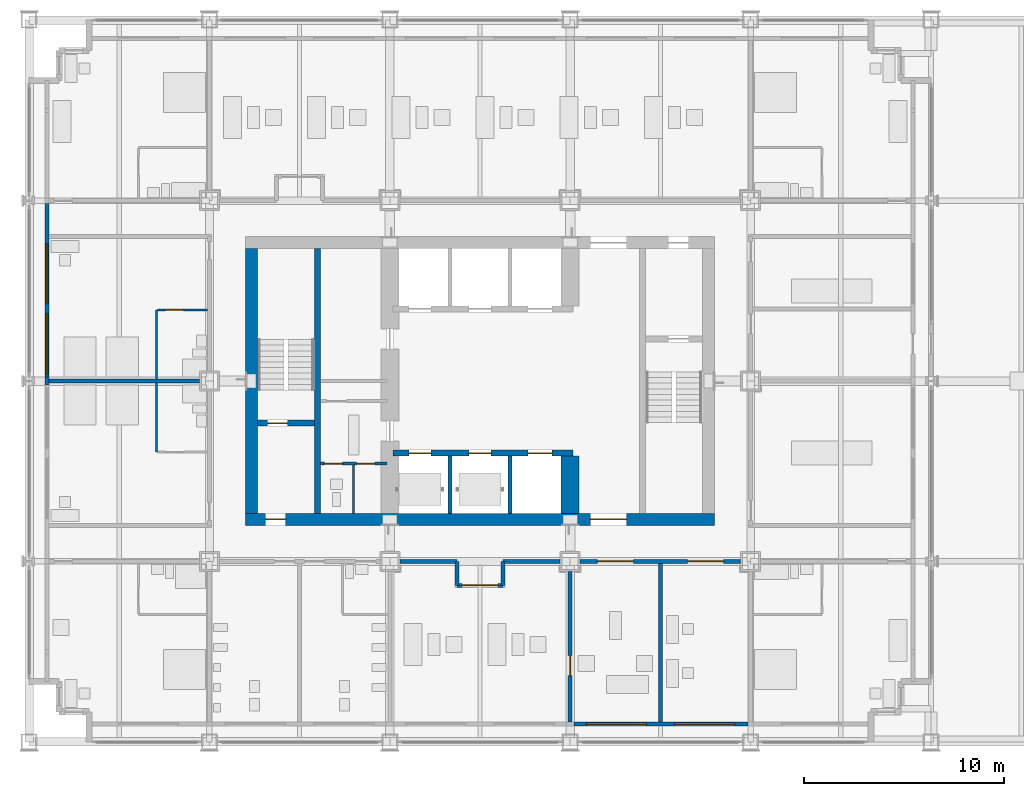
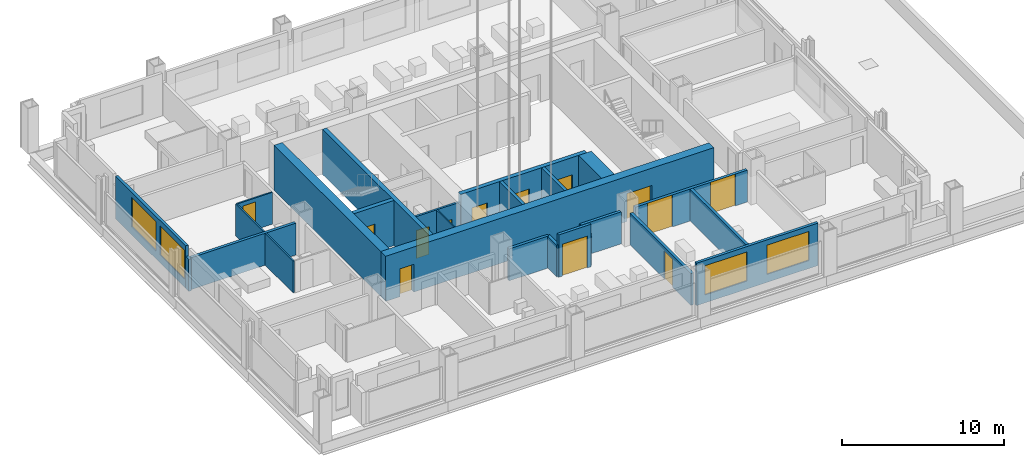
# One storey, part 11 of 19: 25 walls, 13 doors, 4 windows, 17 openings.
"""IFC4 building model written with IfcOpenShell, lengths in metres."""

from ifc_helpers import new_model, si_unit, direction, frame, frame_2d, origin, place, context, subcontext, project, spatial, rectangle, extrude, material, layer, layer_set, type_object, element, fill, save


model = new_model("IFC4")

# Units and contexts
model_context = context("Model", 3, precision=1e-05, world=origin(), true_north=direction((0.0, 1.0)))
body_context = subcontext(model_context, "Body", "Model", "MODEL_VIEW")
ifc_project = project(units=[si_unit("LENGTHUNIT", "METRE"), si_unit("AREAUNIT", "SQUARE_METRE"), si_unit("VOLUMEUNIT", "CUBIC_METRE"), si_unit("PLANEANGLEUNIT", "RADIAN"), si_unit("MASSUNIT", "GRAM", prefix="KILO")], contexts=[model_context])

# Site, building, storey
site_placement = place(None, origin())
site = spatial("IfcSite", under=ifc_project, at=site_placement, CompositionType="ELEMENT")
building_placement = place(site_placement, origin())
building = spatial("IfcBuilding", under=site, at=building_placement, Name="Loomwork Tower", CompositionType="ELEMENT")
storey_placement = place(building_placement, frame((0.0, 0.0, 94.199951171875)))
storey = spatial("IfcBuildingStorey", under=building, at=storey_placement, Name="L24", CompositionType="ELEMENT", Elevation=94.199951171875)

# Wall
ifc_material_1 = material(Name="Concrete 14000 psi (97 MPa)", Category="concrete")
ifc_layer_1 = layer(ifc_material_1, 0.300048828125)
ifc_layer_set_1 = layer_set([ifc_layer_1], Name="Core shear wall 300")
wall_type_1 = type_object("IfcWallType", Name="Core shear wall 300", PredefinedType="SHEAR", material=ifc_layer_set_1)
wall_1_placement = place(storey_placement, frame((14.39990234375, 11.39990234375, 0.0), z_axis=(0.0, 0.0, 1.0), x_axis=(0.0, 1.0, 0.0)))
element("IfcWall", 1, at=wall_1_placement, inside=storey, type_object=wall_type_1, Name="Stair A east wall L24", PredefinedType="SHEAR", context=body_context, shape_type="SweptSolid", body=[
    extrude(rectangle(XDim=13.2001953125, YDim=0.300048828125, at=frame_2d((6.60009765625, 0.0))), origin(), (0.0, 0.0, 1.0), 3.400146484375),
])

# Wall, opening, door
wall_2_placement = place(storey_placement, frame((11.39990234375, 15.89990234375, 0.0), z_axis=(0.0, 0.0, 1.0), x_axis=(1.0, 0.0, 0.0)))
wall_2 = element("IfcWall", 2, at=wall_2_placement, inside=storey, type_object=wall_type_1, Name="Stair A south wall L24", PredefinedType="SHEAR", context=body_context, shape_type="SweptSolid", body=[
    extrude(rectangle(XDim=2.85009765625, YDim=0.300048828125, at=frame_2d((1.425048828125, 0.0))), origin(), (0.0, 0.0, 1.0), 3.400146484375),
])
opening_1_placement = place(wall_2_placement, frame((0.5, 0.0, 0.0)))
opening_1 = element("IfcOpeningElement", 3, at=opening_1_placement, cuts=wall_2, Name="Opening D4", PredefinedType="OPENING", context=body_context, shape_type="SweptSolid", body=[
    extrude(rectangle(XDim=1.0, YDim=2.10009765625, at=frame_2d((0.5, 1.050048828125))), frame((0.0, 0.159912109375, 0.0), z_axis=(0.0, -1.0, 0.0), x_axis=(1.0, 0.0, 0.0)), (0.0, 0.0, 1.0), 0.320068359375),
])
ifc_material_2 = material(Name="Hollow metal door and frame")
door_type_1 = type_object("IfcDoorType", Name="Stair door 1000", OperationType="SINGLE_SWING_RIGHT", PredefinedType="DOOR", material=ifc_material_2)
door_1_placement = place(opening_1_placement, origin())
door_1 = element("IfcDoor", 4, at=door_1_placement, inside=storey, type_object=door_type_1, Name="Stair A door", OperationType="SINGLE_SWING_LEFT", OverallHeight=2.10009765625, OverallWidth=1.0, PredefinedType="DOOR", context=body_context, shape_type="SweptSolid", body=[
    extrude(rectangle(XDim=1.0, YDim=2.10009765625, at=frame_2d((0.5, 1.050048828125))), frame((0.0, 0.02490234375, 0.0), z_axis=(0.0, -1.0, 0.0), x_axis=(1.0, 0.0, 0.0)), (0.0, 0.0, 1.0), 0.050048828125),
])
fill(opening_1, door_1)

# Wall, openings, doors
wall_3_placement = place(storey_placement, frame((18.14990234375, 14.39990234375, 0.0), z_axis=(0.0, 0.0, 1.0), x_axis=(1.0, 0.0, 0.0)))
wall_3 = element("IfcWall", 5, at=wall_3_placement, inside=storey, type_object=wall_type_1, Name="Lift front wall south L24", PredefinedType="SHEAR", context=body_context, shape_type="SweptSolid", body=[
    extrude(rectangle(XDim=9.0, YDim=0.300048828125, at=frame_2d((4.5, 0.0))), origin(), (0.0, 0.0, 1.0), 3.400146484375),
])
opening_2_placement = place(wall_3_placement, frame((0.800048828125, 0.0, 0.0)))
opening_2 = element("IfcOpeningElement", 6, at=opening_2_placement, cuts=wall_3, Name="Opening LD1", PredefinedType="OPENING", context=body_context, shape_type="SweptSolid", body=[
    extrude(rectangle(XDim=1.10009765625, YDim=2.10009765625, at=frame_2d((0.550048828125, 1.050048828125))), frame((0.0, 0.159912109375, 0.0), z_axis=(0.0, -1.0, 0.0), x_axis=(1.0, 0.0, 0.0)), (0.0, 0.0, 1.0), 0.320068359375),
])
opening_3_placement = place(wall_3_placement, frame((3.800048828125, 0.0, 0.0)))
opening_3 = element("IfcOpeningElement", 7, at=opening_3_placement, cuts=wall_3, Name="Opening LD1", PredefinedType="OPENING", context=body_context, shape_type="SweptSolid", body=[
    extrude(rectangle(XDim=1.10009765625, YDim=2.10009765625, at=frame_2d((0.550048828125, 1.050048828125))), frame((0.0, 0.159912109375, 0.0), z_axis=(0.0, -1.0, 0.0), x_axis=(1.0, 0.0, 0.0)), (0.0, 0.0, 1.0), 0.320068359375),
])
opening_4_placement = place(wall_3_placement, frame((6.75, 0.0, 0.0)))
opening_4 = element("IfcOpeningElement", 8, at=opening_4_placement, cuts=wall_3, Name="Opening LD2", PredefinedType="OPENING", context=body_context, shape_type="SweptSolid", body=[
    extrude(rectangle(XDim=1.199951171875, YDim=2.10009765625, at=frame_2d((0.60009765625, 1.050048828125))), frame((0.0, 0.159912109375, 0.0), z_axis=(0.0, -1.0, 0.0), x_axis=(1.0, 0.0, 0.0)), (0.0, 0.0, 1.0), 0.320068359375),
])
ifc_material_3 = material(Name="Hollow metal door and frame")
door_type_2 = type_object("IfcDoorType", Name="Lift landing door 1100", OperationType="SLIDING_TO_LEFT", PredefinedType="DOOR", material=ifc_material_3)
door_2_placement = place(opening_2_placement, origin())
door_2 = element("IfcDoor", 9, at=door_2_placement, inside=storey, type_object=door_type_2, Name="Lift landing door LB1", OperationType="SLIDING_TO_LEFT", OverallHeight=2.10009765625, OverallWidth=1.10009765625, PredefinedType="DOOR", context=body_context, shape_type="SweptSolid", body=[
    extrude(rectangle(XDim=1.10009765625, YDim=2.10009765625, at=frame_2d((0.550048828125, 1.050048828125))), frame((0.0, 0.02490234375, 0.0), z_axis=(0.0, -1.0, 0.0), x_axis=(1.0, 0.0, 0.0)), (0.0, 0.0, 1.0), 0.050048828125),
])
fill(opening_2, door_2)
door_3_placement = place(opening_3_placement, origin())
door_3 = element("IfcDoor", 10, at=door_3_placement, inside=storey, type_object=door_type_2, Name="Lift landing door LB2", OperationType="SLIDING_TO_LEFT", OverallHeight=2.10009765625, OverallWidth=1.10009765625, PredefinedType="DOOR", context=body_context, shape_type="SweptSolid", body=[
    extrude(rectangle(XDim=1.10009765625, YDim=2.10009765625, at=frame_2d((0.550048828125, 1.050048828125))), frame((0.0, 0.02490234375, 0.0), z_axis=(0.0, -1.0, 0.0), x_axis=(1.0, 0.0, 0.0)), (0.0, 0.0, 1.0), 0.050048828125),
])
fill(opening_3, door_3)
ifc_material_4 = material(Name="Hollow metal door and frame")
door_type_3 = type_object("IfcDoorType", Name="Lift landing door 1200", OperationType="SLIDING_TO_LEFT", PredefinedType="DOOR", material=ifc_material_4)
door_4_placement = place(opening_4_placement, origin())
door_4 = element("IfcDoor", 11, at=door_4_placement, inside=storey, type_object=door_type_3, Name="Lift landing door LF1", OperationType="SLIDING_TO_LEFT", OverallHeight=2.10009765625, OverallWidth=1.199951171875, PredefinedType="DOOR", context=body_context, shape_type="SweptSolid", body=[
    extrude(rectangle(XDim=1.199951171875, YDim=2.10009765625, at=frame_2d((0.60009765625, 1.050048828125))), frame((0.0, 0.02490234375, 0.0), z_axis=(0.0, -1.0, 0.0), x_axis=(1.0, 0.0, 0.0)), (0.0, 0.0, 1.0), 0.050048828125),
])
fill(opening_4, door_4)

ifc_material_5 = material(Name="Concrete 14000 psi (97 MPa)", Category="concrete")
ifc_layer_2 = layer(ifc_material_5, 0.60009765625)
ifc_layer_set_2 = layer_set([ifc_layer_2], Name="Core shear wall 600")
wall_type_2 = type_object("IfcWallType", Name="Core shear wall 600", PredefinedType="SHEAR", material=ifc_layer_set_2)
wall_4_placement = place(storey_placement, frame((10.800048828125, 11.10009765625, 0.0), z_axis=(0.0, 0.0, 1.0), x_axis=(1.0, 0.0, 0.0)))
wall_4 = element("IfcWall", 12, at=wall_4_placement, inside=storey, type_object=wall_type_2, Name="Core wall south L24", PredefinedType="SHEAR", context=body_context, shape_type="SweptSolid", body=[
    extrude(rectangle(XDim=23.39990234375, YDim=0.60009765625, at=frame_2d((11.699951171875, 0.0))), origin(), (0.0, 0.0, 1.0), 3.400146484375),
])
opening_5_placement = place(wall_4_placement, frame((1.0, 0.0, 0.0)))
opening_5 = element("IfcOpeningElement", 13, at=opening_5_placement, cuts=wall_4, Name="Opening D4", PredefinedType="OPENING", context=body_context, shape_type="SweptSolid", body=[
    extrude(rectangle(XDim=1.0, YDim=2.10009765625, at=frame_2d((0.5, 1.050048828125))), frame((0.0, 0.31005859375, 0.0), z_axis=(0.0, -1.0, 0.0), x_axis=(1.0, 0.0, 0.0)), (0.0, 0.0, 1.0), 0.6201171875),
])
opening_6_placement = place(wall_4_placement, frame((17.199951171875, 0.0, 0.0)))
opening_6 = element("IfcOpeningElement", 14, at=opening_6_placement, cuts=wall_4, Name="Opening D6", PredefinedType="OPENING", context=body_context, shape_type="SweptSolid", body=[
    extrude(rectangle(XDim=1.800048828125, YDim=2.10009765625, at=frame_2d((0.89990234375, 1.050048828125))), frame((0.0, 0.31005859375, 0.0), z_axis=(0.0, -1.0, 0.0), x_axis=(1.0, 0.0, 0.0)), (0.0, 0.0, 1.0), 0.6201171875),
])
ifc_material_6 = material(Name="Hollow metal door and frame")
door_type_4 = type_object("IfcDoorType", Name="Lobby passage double door 1800", OperationType="DOUBLE_DOOR_SINGLE_SWING", PredefinedType="DOOR", material=ifc_material_6)
door_5_placement = place(opening_6_placement, origin())
door_5 = element("IfcDoor", 15, at=door_5_placement, inside=storey, type_object=door_type_4, Name="Lobby passage door south", OperationType="DOUBLE_DOOR_SINGLE_SWING", OverallHeight=2.10009765625, OverallWidth=1.800048828125, PredefinedType="DOOR", context=body_context, shape_type="SweptSolid", body=[
    extrude(rectangle(XDim=1.800048828125, YDim=2.10009765625, at=frame_2d((0.89990234375, 1.050048828125))), frame((0.0, 0.02490234375, 0.0), z_axis=(0.0, -1.0, 0.0), x_axis=(1.0, 0.0, 0.0)), (0.0, 0.0, 1.0), 0.050048828125),
])
fill(opening_6, door_5)
door_6_placement = place(opening_5_placement, origin())
door_6 = element("IfcDoor", 16, at=door_6_placement, inside=storey, type_object=door_type_1, Name="Stair A vestibule door", OperationType="SINGLE_SWING_LEFT", OverallHeight=2.10009765625, OverallWidth=1.0, PredefinedType="DOOR", context=body_context, shape_type="SweptSolid", body=[
    extrude(rectangle(XDim=1.0, YDim=2.10009765625, at=frame_2d((0.5, 1.050048828125))), frame((0.0, 0.02490234375, 0.0), z_axis=(0.0, -1.0, 0.0), x_axis=(1.0, 0.0, 0.0)), (0.0, 0.0, 1.0), 0.050048828125),
])
fill(opening_5, door_6)

# Walls
wall_5_placement = place(storey_placement, frame((11.10009765625, 11.39990234375, 0.0), z_axis=(0.0, 0.0, 1.0), x_axis=(0.0, 1.0, 0.0)))
element("IfcWall", 17, at=wall_5_placement, inside=storey, type_object=wall_type_2, Name="Core wall west L24", PredefinedType="SHEAR", context=body_context, shape_type="SweptSolid", body=[
    extrude(rectangle(XDim=13.2001953125, YDim=0.60009765625, at=frame_2d((6.60009765625, 0.0))), origin(), (0.0, 0.0, 1.0), 3.400146484375),
])
ifc_material_7 = material(Name="Concrete 14000 psi (97 MPa)", Category="concrete")
ifc_layer_3 = layer(ifc_material_7, 0.89990234375)
ifc_layer_set_3 = layer_set([ifc_layer_3], Name="Core shear wall 900")
wall_type_3 = type_object("IfcWallType", Name="Core shear wall 900", PredefinedType="SHEAR", material=ifc_layer_set_3)
wall_6_placement = place(storey_placement, frame((27.0, 11.39990234375, 0.0), z_axis=(0.0, 0.0, 1.0), x_axis=(0.0, 1.0, 0.0)))
element("IfcWall", 18, at=wall_6_placement, inside=storey, type_object=wall_type_3, Name="Lift shaft end wall south L24", PredefinedType="SHEAR", context=body_context, shape_type="SweptSolid", body=[
    extrude(rectangle(XDim=2.85009765625, YDim=0.89990234375, at=frame_2d((1.425048828125, 0.0))), origin(), (0.0, 0.0, 1.0), 3.400146484375),
])
ifc_material_8 = material(Name="Gypsum board on steel studs, one-hour", Category="steel")
ifc_layer_4 = layer(ifc_material_8, 0.199951171875)
ifc_layer_set_4 = layer_set([ifc_layer_4], Name="Corridor wall 200")
wall_type_4 = type_object("IfcWallType", Name="Corridor wall 200", PredefinedType="PARTITIONING", material=ifc_layer_set_4)
wall_7_placement = place(storey_placement, frame((18.5, 9.0, 0.0), z_axis=(0.0, 0.0, 1.0), x_axis=(1.0, 0.0, 0.0)))
element("IfcWall", 19, at=wall_7_placement, inside=storey, type_object=wall_type_4, Name="South corridor wall 3", PredefinedType="PARTITIONING", context=body_context, shape_type="SweptSolid", body=[
    extrude(rectangle(XDim=2.85009765625, YDim=0.199951171875, at=frame_2d((1.425048828125, 0.0))), origin(), (0.0, 0.0, 1.0), 2.405029296875),
])

# Wall, openings, doors
wall_8_placement = place(storey_placement, frame((27.5, 9.0, 0.0), z_axis=(0.0, 0.0, 1.0), x_axis=(1.0, 0.0, 0.0)))
wall_8 = element("IfcWall", 20, at=wall_8_placement, inside=storey, type_object=wall_type_4, Name="South corridor wall 4", PredefinedType="PARTITIONING", context=body_context, shape_type="SweptSolid", body=[
    extrude(rectangle(XDim=8.0, YDim=0.199951171875, at=frame_2d((4.0, 0.0))), origin(), (0.0, 0.0, 1.0), 2.405029296875),
])
opening_7_placement = place(wall_8_placement, frame((0.85009765625, 0.0, 0.0)))
opening_7 = element("IfcOpeningElement", 21, at=opening_7_placement, cuts=wall_8, Name="Opening D16", PredefinedType="OPENING", context=body_context, shape_type="SweptSolid", body=[
    extrude(rectangle(XDim=1.800048828125, YDim=2.39990234375, at=frame_2d((0.89990234375, 1.199951171875))), frame((0.0, 0.10986328125, 0.0), z_axis=(0.0, -1.0, 0.0), x_axis=(1.0, 0.0, 0.0)), (0.0, 0.0, 1.0), 0.219970703125),
])
opening_8_placement = place(wall_8_placement, frame((5.35009765625, 0.0, 0.0)))
opening_8 = element("IfcOpeningElement", 22, at=opening_8_placement, cuts=wall_8, Name="Opening D16", PredefinedType="OPENING", context=body_context, shape_type="SweptSolid", body=[
    extrude(rectangle(XDim=1.800048828125, YDim=2.39990234375, at=frame_2d((0.89990234375, 1.199951171875))), frame((0.0, 0.10986328125, 0.0), z_axis=(0.0, -1.0, 0.0), x_axis=(1.0, 0.0, 0.0)), (0.0, 0.0, 1.0), 0.219970703125),
])
ifc_material_9 = material(Name="Hollow metal door and frame")
door_type_5 = type_object("IfcDoorType", Name="Fire-rated double door 1800", OperationType="DOUBLE_DOOR_SINGLE_SWING", PredefinedType="DOOR", material=ifc_material_9)
door_7_placement = place(opening_7_placement, origin())
door_7 = element("IfcDoor", 23, at=door_7_placement, inside=storey, type_object=door_type_5, Name="Sky lobby door L24", OperationType="DOUBLE_DOOR_SINGLE_SWING", OverallHeight=2.39990234375, OverallWidth=1.800048828125, PredefinedType="DOOR", context=body_context, shape_type="SweptSolid", body=[
    extrude(rectangle(XDim=1.800048828125, YDim=2.39990234375, at=frame_2d((0.89990234375, 1.199951171875))), frame((0.0, 0.02490234375, 0.0), z_axis=(0.0, -1.0, 0.0), x_axis=(1.0, 0.0, 0.0)), (0.0, 0.0, 1.0), 0.050048828125),
])
fill(opening_7, door_7)
door_8_placement = place(opening_8_placement, frame((1.800048828125, 0.0, 0.0), z_axis=(0.0, 0.0, 1.0), x_axis=(-1.0, 0.0, 0.0)))
door_8 = element("IfcDoor", 24, at=door_8_placement, inside=storey, type_object=door_type_5, Name="Business centre door L24", OperationType="DOUBLE_DOOR_SINGLE_SWING", OverallHeight=2.39990234375, OverallWidth=1.800048828125, PredefinedType="DOOR", context=body_context, shape_type="SweptSolid", body=[
    extrude(rectangle(XDim=1.800048828125, YDim=2.39990234375, at=frame_2d((0.89990234375, 1.199951171875))), frame((0.0, 0.02490234375, 0.0), z_axis=(0.0, -1.0, 0.0), x_axis=(1.0, 0.0, 0.0)), (0.0, 0.0, 1.0), 0.050048828125),
])
fill(opening_8, door_8)

# Walls
wall_9_placement = place(storey_placement, frame((23.64990234375, 9.0, 0.0), z_axis=(0.0, 0.0, 1.0), x_axis=(1.0, 0.0, 0.0)))
element("IfcWall", 25, at=wall_9_placement, inside=storey, type_object=wall_type_4, Name="South corridor wall 3", PredefinedType="PARTITIONING", context=body_context, shape_type="SweptSolid", body=[
    extrude(rectangle(XDim=2.85009765625, YDim=0.199951171875, at=frame_2d((1.425048828125, 0.0))), origin(), (0.0, 0.0, 1.0), 2.405029296875),
])
for number, where, z_axis, x_axis, name in (
    (26, (21.35009765625, 9.0, 0.0), (0.0, 0.0, 1.0), (0.0, -1.0, 0.0), "Sky lounge door L24 alcove wall"),
    (27, (23.64990234375, 9.0, 0.0), (0.0, 0.0, 1.0), (0.0, -1.0, 0.0), "Sky lounge door L24 alcove wall"),
):
    element("IfcWall", number, at=place(storey_placement, frame(where, z_axis=z_axis, x_axis=x_axis)), inside=storey, type_object=wall_type_4, Name=name, PredefinedType="PARTITIONING", context=body_context, shape_type="SweptSolid", body=[
        extrude(rectangle(XDim=1.199951171875, YDim=0.199951171875, at=frame_2d((0.60009765625, 0.0))), origin(), (0.0, 0.0, 1.0), 2.404052734375),
    ])

# Wall, opening, door
wall_10_placement = place(storey_placement, frame((21.35009765625, 7.800048828125, 0.0), z_axis=(0.0, 0.0, 1.0), x_axis=(1.0, 0.0, 0.0)))
wall_10 = element("IfcWall", 28, at=wall_10_placement, inside=storey, type_object=wall_type_4, Name="Sky lounge door L24 alcove wall", PredefinedType="PARTITIONING", context=body_context, shape_type="SweptSolid", body=[
    extrude(rectangle(XDim=2.2998046875, YDim=0.199951171875, at=frame_2d((1.14990234375, 0.0))), origin(), (0.0, 0.0, 1.0), 3.199951171875),
])
opening_9_placement = place(wall_10_placement, frame((0.25, 0.0, 0.0)))
opening_9 = element("IfcOpeningElement", 29, at=opening_9_placement, cuts=wall_10, Name="Opening D16", PredefinedType="OPENING", context=body_context, shape_type="SweptSolid", body=[
    extrude(rectangle(XDim=1.800048828125, YDim=2.39990234375, at=frame_2d((0.89990234375, 1.199951171875))), frame((0.0, 0.10986328125, 0.0), z_axis=(0.0, -1.0, 0.0), x_axis=(1.0, 0.0, 0.0)), (0.0, 0.0, 1.0), 0.219970703125),
])
door_9_placement = place(opening_9_placement, frame((1.800048828125, 0.0, 0.0), z_axis=(0.0, 0.0, 1.0), x_axis=(-1.0, 0.0, 0.0)))
door_9 = element("IfcDoor", 30, at=door_9_placement, inside=storey, type_object=door_type_5, Name="Sky lounge door L24", OperationType="DOUBLE_DOOR_SINGLE_SWING", OverallHeight=2.39990234375, OverallWidth=1.800048828125, PredefinedType="DOOR", context=body_context, shape_type="SweptSolid", body=[
    extrude(rectangle(XDim=1.800048828125, YDim=2.39990234375, at=frame_2d((0.89990234375, 1.199951171875))), frame((0.0, 0.02490234375, 0.0), z_axis=(0.0, -1.0, 0.0), x_axis=(1.0, 0.0, 0.0)), (0.0, 0.0, 1.0), 0.050048828125),
])
fill(opening_9, door_9)

# Walls
ifc_material_10 = material(Name="Cement board on steel studs", Category="steel")
ifc_layer_5 = layer(ifc_material_10, 0.10009765625)
ifc_layer_set_5 = layer_set([ifc_layer_5], Name="En-suite partition 100")
wall_type_5 = type_object("IfcWallType", Name="En-suite partition 100", PredefinedType="PARTITIONING", material=ifc_layer_set_5)
for number, where, z_axis, x_axis, name in (
    (31, (6.35009765625, 14.449951171875, 0.0), (0.0, 0.0, 1.0), (0.0, 1.0, 0.0), "En-suite wall L24 room 11"),
    (32, (6.35009765625, 18.10009765625, 0.0), (0.0, 0.0, 1.0), (0.0, 1.0, 0.0), "En-suite wall L24 room 12"),
):
    element("IfcWall", number, at=place(storey_placement, frame(where, z_axis=z_axis, x_axis=x_axis)), inside=storey, type_object=wall_type_5, Name=name, PredefinedType="PARTITIONING", context=body_context, shape_type="SweptSolid", body=[
        extrude(rectangle(XDim=3.449951171875, YDim=0.10009765625, at=frame_2d((1.72509765625, 0.0))), origin(), (0.0, 0.0, 1.0), 2.404052734375),
    ])

# Wall, opening, door
wall_11_placement = place(storey_placement, frame((8.89990234375, 21.550048828125, 0.0), z_axis=(0.0, 0.0, 1.0), x_axis=(-1.0, 0.0, 0.0)))
wall_11 = element("IfcWall", 33, at=wall_11_placement, inside=storey, type_object=wall_type_5, Name="En-suite side wall L24 room 12", PredefinedType="PARTITIONING", context=body_context, shape_type="SweptSolid", body=[
    extrude(rectangle(XDim=2.5, YDim=0.10009765625, at=frame_2d((1.25, 0.0))), origin(), (0.0, 0.0, 1.0), 2.404052734375),
])
opening_10_placement = place(wall_11_placement, frame((1.199951171875, 0.0, 0.0)))
opening_10 = element("IfcOpeningElement", 34, at=opening_10_placement, cuts=wall_11, Name="Opening D2", PredefinedType="OPENING", context=body_context, shape_type="SweptSolid", body=[
    extrude(rectangle(XDim=0.89990234375, YDim=2.10009765625, at=frame_2d((0.449951171875, 1.050048828125))), frame((0.0, 0.06005859375, 0.0), z_axis=(0.0, -1.0, 0.0), x_axis=(1.0, 0.0, 0.0)), (0.0, 0.0, 1.0), 0.1201171875),
])
ifc_material_11 = material(Name="Hollow metal door and frame")
door_type_6 = type_object("IfcDoorType", Name="En-suite door 900", OperationType="SINGLE_SWING_LEFT", PredefinedType="DOOR", material=ifc_material_11)
door_10_placement = place(opening_10_placement, origin())
door_10 = element("IfcDoor", 35, at=door_10_placement, inside=storey, type_object=door_type_6, Name="En-suite door room 12", OperationType="SINGLE_SWING_RIGHT", OverallHeight=2.10009765625, OverallWidth=0.89990234375, PredefinedType="DOOR", context=body_context, shape_type="SweptSolid", body=[
    extrude(rectangle(XDim=0.89990234375, YDim=2.10009765625, at=frame_2d((0.449951171875, 1.050048828125))), frame((0.0, 0.02490234375, 0.0), z_axis=(0.0, -1.0, 0.0), x_axis=(1.0, 0.0, 0.0)), (0.0, 0.0, 1.0), 0.050048828125),
])
fill(opening_10, door_10)

# Wall
wall_12_placement = place(storey_placement, frame((16.199951171875, 11.39990234375, 0.0), z_axis=(0.0, 0.0, 1.0), x_axis=(0.0, 1.0, 0.0)))
element("IfcWall", 36, at=wall_12_placement, inside=storey, type_object=wall_type_5, Name="Back-of-house partition L24 2", PredefinedType="PARTITIONING", context=body_context, shape_type="SweptSolid", body=[
    extrude(rectangle(XDim=2.400146484375, YDim=0.10009765625, at=frame_2d((1.2001953125, 0.0))), origin(), (0.0, 0.0, 1.0), 3.199951171875),
])

# Wall, opening, door
ifc_material_12 = material(Name="Gypsum board on steel studs, acoustic", Category="steel")
ifc_layer_6 = layer(ifc_material_12, 0.199951171875)
ifc_layer_set_6 = layer_set([ifc_layer_6], Name="Guest room party wall 200")
wall_type_6 = type_object("IfcWallType", Name="Guest room party wall 200", PredefinedType="PARTITIONING", material=ifc_layer_set_6)
wall_13_placement = place(storey_placement, frame((27.0, 8.5, 0.0), z_axis=(0.0, 0.0, 1.0), x_axis=(0.0, -1.0, 0.0)))
wall_13 = element("IfcWall", 37, at=wall_13_placement, inside=storey, type_object=wall_type_6, Name="Guest room party wall S 27", PredefinedType="PARTITIONING", context=body_context, shape_type="SweptSolid", body=[
    extrude(rectangle(XDim=7.5, YDim=0.199951171875, at=frame_2d((3.75, 0.0))), origin(), (0.0, 0.0, 1.0), 2.405029296875),
])
opening_11_placement = place(wall_13_placement, frame((4.199951171875, 0.0, 0.0)))
opening_11 = element("IfcOpeningElement", 38, at=opening_11_placement, cuts=wall_13, Name="Opening D7", PredefinedType="OPENING", context=body_context, shape_type="SweptSolid", body=[
    extrude(rectangle(XDim=1.0, YDim=2.10009765625, at=frame_2d((0.5, 1.050048828125))), frame((0.0, 0.10986328125, 0.0), z_axis=(0.0, -1.0, 0.0), x_axis=(1.0, 0.0, 0.0)), (0.0, 0.0, 1.0), 0.219970703125),
])
ifc_material_13 = material(Name="Hollow metal door and frame")
door_type_7 = type_object("IfcDoorType", Name="Room door 1000", OperationType="SINGLE_SWING_LEFT", PredefinedType="DOOR", material=ifc_material_13)
door_11_placement = place(opening_11_placement, frame((1.0, 0.0, 0.0), z_axis=(0.0, 0.0, 1.0), x_axis=(-1.0, 0.0, 0.0)))
door_11 = element("IfcDoor", 39, at=door_11_placement, inside=storey, type_object=door_type_7, Name="Suite connecting door L24 S 27", OperationType="SINGLE_SWING_LEFT", OverallHeight=2.10009765625, OverallWidth=1.0, PredefinedType="DOOR", context=body_context, shape_type="SweptSolid", body=[
    extrude(rectangle(XDim=1.0, YDim=2.10009765625, at=frame_2d((0.5, 1.050048828125))), frame((0.0, 0.02490234375, 0.0), z_axis=(0.0, -1.0, 0.0), x_axis=(1.0, 0.0, 0.0)), (0.0, 0.0, 1.0), 0.050048828125),
])
fill(opening_11, door_11)

# Walls
wall_14_placement = place(storey_placement, frame((31.5, 9.10009765625, 0.0), z_axis=(0.0, 0.0, 1.0), x_axis=(0.0, -1.0, 0.0)))
element("IfcWall", 40, at=wall_14_placement, inside=storey, type_object=wall_type_6, Name="Sky lobby partition S 31.5", PredefinedType="PARTITIONING", context=body_context, shape_type="SweptSolid", body=[
    extrude(rectangle(XDim=8.10009765625, YDim=0.199951171875, at=frame_2d((4.050048828125, 0.0))), origin(), (0.0, 0.0, 1.0), 2.404052734375),
])
wall_15_placement = place(storey_placement, frame((8.5, 18.0, 0.0), z_axis=(0.0, 0.0, 1.0), x_axis=(-1.0, 0.0, 0.0)))
element("IfcWall", 41, at=wall_15_placement, inside=storey, type_object=wall_type_6, Name="Guest room party wall W 18", PredefinedType="PARTITIONING", context=body_context, shape_type="SweptSolid", body=[
    extrude(rectangle(XDim=7.5, YDim=0.199951171875, at=frame_2d((3.75, 0.0))), origin(), (0.0, 0.0, 1.0), 2.405029296875),
])

# Wall, openings, windows
ifc_material_14 = material(Name="Insulated steel stud wall with gypsum lining", Category="steel")
ifc_layer_7 = layer(ifc_material_14, 0.199951171875)
ifc_layer_set_7 = layer_set([ifc_layer_7], Name="Inner skin wall 200")
wall_type_7 = type_object("IfcWallType", Name="Inner skin wall 200", PredefinedType="SOLIDWALL", material=ifc_layer_set_7)
wall_16_placement = place(storey_placement, frame((27.19384765625, 0.89990234375, 0.0), z_axis=(0.0, 0.0, 1.0), x_axis=(1.0, 0.0, 0.0)))
wall_16 = element("IfcWall", 42, at=wall_16_placement, inside=storey, type_object=wall_type_7, Name="Inner skin wall S bay 7", PredefinedType="SOLIDWALL", context=body_context, shape_type="SweptSolid", body=[
    extrude(rectangle(XDim=8.670654296875, YDim=0.199951171875, at=frame_2d((4.33544921875, 0.0))), origin(), (0.0, 0.0, 1.0), 3.199951171875),
])
opening_12_placement = place(wall_16_placement, frame((0.606201171875, 0.0, 0.60009765625)))
opening_12 = element("IfcOpeningElement", 43, at=opening_12_placement, cuts=wall_16, Name="Opening CH1", PredefinedType="OPENING", context=body_context, shape_type="SweptSolid", body=[
    extrude(rectangle(XDim=3.0, YDim=2.199951171875, at=frame_2d((1.5, 1.10009765625))), frame((0.0, 0.10986328125, 0.0), z_axis=(0.0, -1.0, 0.0), x_axis=(1.0, 0.0, 0.0)), (0.0, 0.0, 1.0), 0.219970703125),
])
opening_13_placement = place(wall_16_placement, frame((5.006103515625, 0.0, 0.60009765625)))
opening_13 = element("IfcOpeningElement", 44, at=opening_13_placement, cuts=wall_16, Name="Opening CH1", PredefinedType="OPENING", context=body_context, shape_type="SweptSolid", body=[
    extrude(rectangle(XDim=3.0, YDim=2.199951171875, at=frame_2d((1.5, 1.10009765625))), frame((0.0, 0.10986328125, 0.0), z_axis=(0.0, -1.0, 0.0), x_axis=(1.0, 0.0, 0.0)), (0.0, 0.0, 1.0), 0.219970703125),
])
ifc_material_15 = material(Name="Aluminium frame with clear insulated glass", Category="aluminium")
window_type = type_object("IfcWindowType", Name="Chicago window 3000", PartitioningType="TRIPLE_PANEL_VERTICAL", PredefinedType="WINDOW", material=ifc_material_15)
window_1_placement = place(opening_12_placement, origin())
window_1 = element("IfcWindow", 45, at=window_1_placement, inside=storey, type_object=window_type, Name="Chicago window L24 bay 4", OverallHeight=2.199951171875, OverallWidth=3.0, PartitioningType="TRIPLE_PANEL_VERTICAL", PredefinedType="WINDOW", context=body_context, shape_type="SweptSolid", body=[
    extrude(rectangle(XDim=3.0, YDim=2.199951171875, at=frame_2d((1.5, 1.10009765625))), frame((0.0, 0.030029296875, 0.0), z_axis=(0.0, -1.0, 0.0), x_axis=(1.0, 0.0, 0.0)), (0.0, 0.0, 1.0), 0.06005859375),
])
fill(opening_12, window_1)
window_2_placement = place(opening_13_placement, origin())
window_2 = element("IfcWindow", 46, at=window_2_placement, inside=storey, type_object=window_type, Name="Chicago window L24 bay 4", OverallHeight=2.199951171875, OverallWidth=3.0, PartitioningType="TRIPLE_PANEL_VERTICAL", PredefinedType="WINDOW", context=body_context, shape_type="SweptSolid", body=[
    extrude(rectangle(XDim=3.0, YDim=2.199951171875, at=frame_2d((1.5, 1.10009765625))), frame((0.0, 0.030029296875, 0.0), z_axis=(0.0, -1.0, 0.0), x_axis=(1.0, 0.0, 0.0)), (0.0, 0.0, 1.0), 0.06005859375),
])
fill(opening_13, window_2)

# Wall
wall_17_placement = place(storey_placement, frame((0.89990234375, 17.80615234375, 0.0), z_axis=(0.0, 0.0, 1.0), x_axis=(0.0, 1.0, 0.0)))
element("IfcWall", 47, at=wall_17_placement, inside=storey, type_object=wall_type_7, Name="Inner skin wall W bay 6", PredefinedType="SOLIDWALL", context=body_context, shape_type="SweptSolid", body=[
    extrude(rectangle(XDim=0.3876953125, YDim=0.199951171875, at=frame_2d((0.19384765625, 0.0))), origin(), (0.0, 0.0, 1.0), 2.404052734375),
])

# Wall, openings, windows
wall_18_placement = place(storey_placement, frame((0.89990234375, 18.19384765625, 0.0), z_axis=(0.0, 0.0, 1.0), x_axis=(0.0, 1.0, 0.0)))
wall_18 = element("IfcWall", 48, at=wall_18_placement, inside=storey, type_object=wall_type_7, Name="Inner skin wall W bay 7", PredefinedType="SOLIDWALL", context=body_context, shape_type="SweptSolid", body=[
    extrude(rectangle(XDim=8.6708984375, YDim=0.199951171875, at=frame_2d((4.33544921875, 0.0))), origin(), (0.0, 0.0, 1.0), 3.199951171875),
])
opening_14_placement = place(wall_18_placement, frame((0.15625, 0.0, 0.60009765625)))
opening_14 = element("IfcOpeningElement", 49, at=opening_14_placement, cuts=wall_18, Name="Opening CH1", PredefinedType="OPENING", context=body_context, shape_type="SweptSolid", body=[
    extrude(rectangle(XDim=3.0, YDim=2.199951171875, at=frame_2d((1.5, 1.10009765625))), frame((0.0, 0.10986328125, 0.0), z_axis=(0.0, -1.0, 0.0), x_axis=(1.0, 0.0, 0.0)), (0.0, 0.0, 1.0), 0.219970703125),
])
opening_15_placement = place(wall_18_placement, frame((3.65625, 0.0, 0.60009765625)))
opening_15 = element("IfcOpeningElement", 50, at=opening_15_placement, cuts=wall_18, Name="Opening CH1", PredefinedType="OPENING", context=body_context, shape_type="SweptSolid", body=[
    extrude(rectangle(XDim=3.0, YDim=2.199951171875, at=frame_2d((1.5, 1.10009765625))), frame((0.0, 0.10986328125, 0.0), z_axis=(0.0, -1.0, 0.0), x_axis=(1.0, 0.0, 0.0)), (0.0, 0.0, 1.0), 0.219970703125),
])
window_3_placement = place(opening_14_placement, origin())
window_3 = element("IfcWindow", 51, at=window_3_placement, inside=storey, type_object=window_type, Name="Chicago window L24 bay 12", OverallHeight=2.199951171875, OverallWidth=3.0, PartitioningType="TRIPLE_PANEL_VERTICAL", PredefinedType="WINDOW", context=body_context, shape_type="SweptSolid", body=[
    extrude(rectangle(XDim=3.0, YDim=2.199951171875, at=frame_2d((1.5, 1.10009765625))), frame((0.0, 0.030029296875, 0.0), z_axis=(0.0, -1.0, 0.0), x_axis=(1.0, 0.0, 0.0)), (0.0, 0.0, 1.0), 0.06005859375),
])
fill(opening_14, window_3)
window_4_placement = place(opening_15_placement, origin())
window_4 = element("IfcWindow", 52, at=window_4_placement, inside=storey, type_object=window_type, Name="Chicago window L24 bay 12", OverallHeight=2.199951171875, OverallWidth=3.0, PartitioningType="TRIPLE_PANEL_VERTICAL", PredefinedType="WINDOW", context=body_context, shape_type="SweptSolid", body=[
    extrude(rectangle(XDim=3.0, YDim=2.199951171875, at=frame_2d((1.5, 1.10009765625))), frame((0.0, 0.030029296875, 0.0), z_axis=(0.0, -1.0, 0.0), x_axis=(1.0, 0.0, 0.0)), (0.0, 0.0, 1.0), 0.06005859375),
])
fill(opening_15, window_4)

# Walls
ifc_material_16 = material(Name="Concrete 14000 psi (97 MPa)", Category="concrete")
ifc_layer_8 = layer(ifc_material_16, 0.199951171875)
ifc_layer_set_8 = layer_set([ifc_layer_8], Name="Lift shaft wall 200")
wall_type_8 = type_object("IfcWallType", Name="Lift shaft wall 200", PredefinedType="SHEAR", material=ifc_layer_set_8)
for number, where, z_axis, x_axis, name in (
    (53, (21.0, 11.39990234375, 0.0), (0.0, 0.0, 1.0), (0.0, 1.0, 0.0), "Lift shaft separation wall south 1 L24"),
    (54, (24.0, 11.39990234375, 0.0), (0.0, 0.0, 1.0), (0.0, 1.0, 0.0), "Lift shaft separation wall south 2 L24"),
):
    element("IfcWall", number, at=place(storey_placement, frame(where, z_axis=z_axis, x_axis=x_axis)), inside=storey, type_object=wall_type_8, Name=name, PredefinedType="SHEAR", context=body_context, shape_type="SweptSolid", body=[
        extrude(rectangle(XDim=2.85009765625, YDim=0.199951171875, at=frame_2d((1.425048828125, 0.0))), origin(), (0.0, 0.0, 1.0), 3.400146484375),
    ])

# Wall, openings, doors
ifc_material_17 = material(Name="Gypsum board on steel studs, one-hour", Category="steel")
ifc_layer_9 = layer(ifc_material_17, 0.14990234375)
ifc_layer_set_9 = layer_set([ifc_layer_9], Name="Service partition 150")
wall_type_9 = type_object("IfcWallType", Name="Service partition 150", PredefinedType="PARTITIONING", material=ifc_layer_set_9)
wall_19_placement = place(storey_placement, frame((14.550048828125, 13.875, 0.0), z_axis=(0.0, 0.0, 1.0), x_axis=(1.0, 0.0, 0.0)))
wall_19 = element("IfcWall", 55, at=wall_19_placement, inside=storey, type_object=wall_type_9, Name="Back-of-house partition L24", PredefinedType="PARTITIONING", context=body_context, shape_type="SweptSolid", body=[
    extrude(rectangle(XDim=3.300048828125, YDim=0.14990234375, at=frame_2d((1.64990234375, 0.0))), origin(), (0.0, 0.0, 1.0), 3.199951171875),
])
opening_16_placement = place(wall_19_placement, frame((0.199951171875, 0.0, 0.0)))
opening_16 = element("IfcOpeningElement", 56, at=opening_16_placement, cuts=wall_19, Name="Opening D20", PredefinedType="OPENING", context=body_context, shape_type="SweptSolid", body=[
    extrude(rectangle(XDim=0.89990234375, YDim=2.10009765625, at=frame_2d((0.449951171875, 1.050048828125))), frame((0.0, 0.0849609375, 0.0), z_axis=(0.0, -1.0, 0.0), x_axis=(1.0, 0.0, 0.0)), (0.0, 0.0, 1.0), 0.169921875),
])
opening_17_placement = place(wall_19_placement, frame((1.800048828125, 0.0, 0.0)))
opening_17 = element("IfcOpeningElement", 57, at=opening_17_placement, cuts=wall_19, Name="Opening D20", PredefinedType="OPENING", context=body_context, shape_type="SweptSolid", body=[
    extrude(rectangle(XDim=0.89990234375, YDim=2.10009765625, at=frame_2d((0.449951171875, 1.050048828125))), frame((0.0, 0.0849609375, 0.0), z_axis=(0.0, -1.0, 0.0), x_axis=(1.0, 0.0, 0.0)), (0.0, 0.0, 1.0), 0.169921875),
])
ifc_material_18 = material(Name="Hollow metal door and frame")
door_type_8 = type_object("IfcDoorType", Name="Back-of-house door 900", OperationType="SINGLE_SWING_LEFT", PredefinedType="DOOR", material=ifc_material_18)
door_12_placement = place(opening_16_placement, frame((0.89990234375, 0.0, 0.0), z_axis=(0.0, 0.0, 1.0), x_axis=(-1.0, 0.0, 0.0)))
door_12 = element("IfcDoor", 58, at=door_12_placement, inside=storey, type_object=door_type_8, Name="Back-of-house room door", OperationType="SINGLE_SWING_RIGHT", OverallHeight=2.10009765625, OverallWidth=0.89990234375, PredefinedType="DOOR", context=body_context, shape_type="SweptSolid", body=[
    extrude(rectangle(XDim=0.89990234375, YDim=2.10009765625, at=frame_2d((0.449951171875, 1.050048828125))), frame((0.0, 0.02490234375, 0.0), z_axis=(0.0, -1.0, 0.0), x_axis=(1.0, 0.0, 0.0)), (0.0, 0.0, 1.0), 0.050048828125),
])
fill(opening_16, door_12)
door_13_placement = place(opening_17_placement, frame((0.89990234375, 0.0, 0.0), z_axis=(0.0, 0.0, 1.0), x_axis=(-1.0, 0.0, 0.0)))
door_13 = element("IfcDoor", 59, at=door_13_placement, inside=storey, type_object=door_type_8, Name="Back-of-house room door", OperationType="SINGLE_SWING_RIGHT", OverallHeight=2.10009765625, OverallWidth=0.89990234375, PredefinedType="DOOR", context=body_context, shape_type="SweptSolid", body=[
    extrude(rectangle(XDim=0.89990234375, YDim=2.10009765625, at=frame_2d((0.449951171875, 1.050048828125))), frame((0.0, 0.02490234375, 0.0), z_axis=(0.0, -1.0, 0.0), x_axis=(1.0, 0.0, 0.0)), (0.0, 0.0, 1.0), 0.050048828125),
])
fill(opening_17, door_13)

save(model, "model.ifc")
